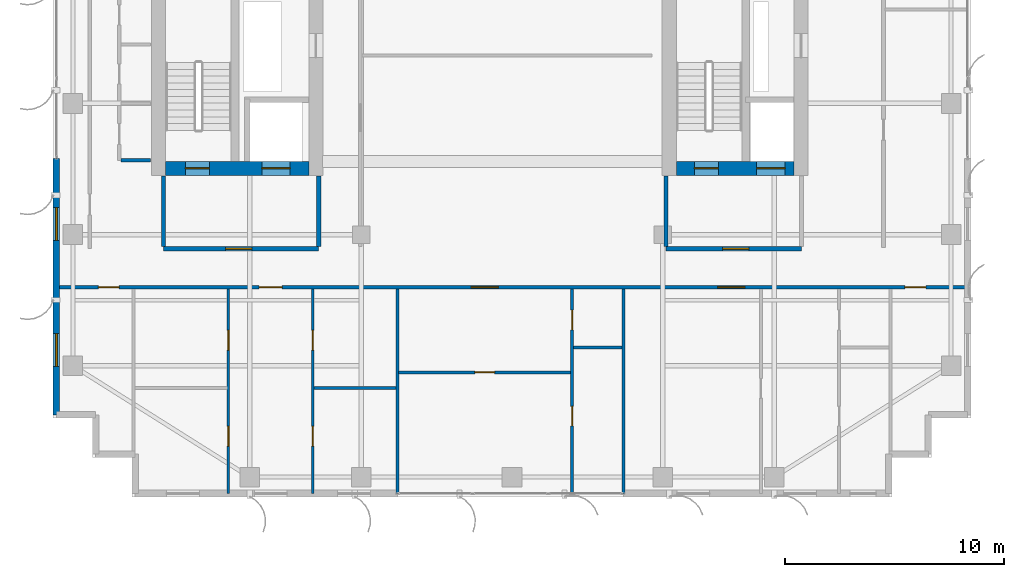
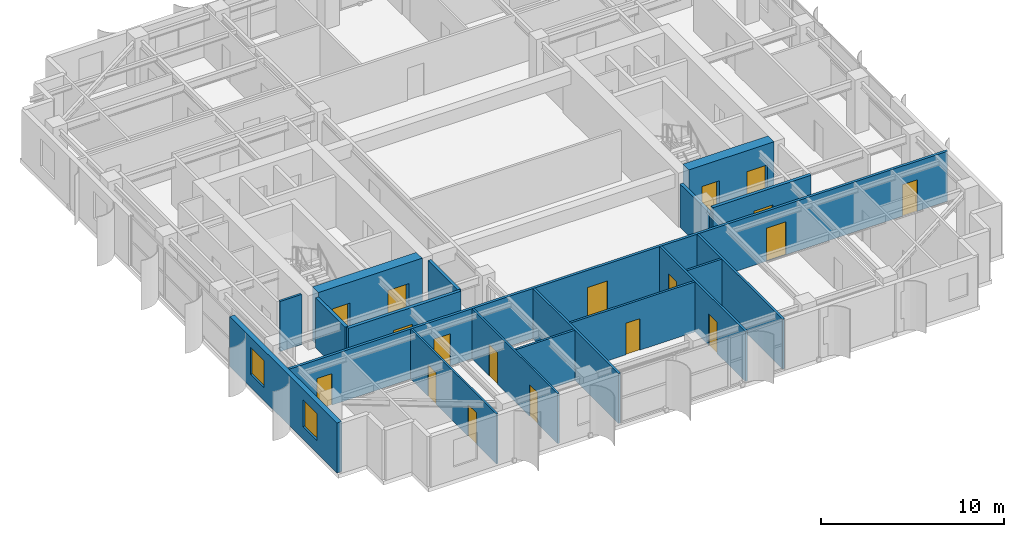
# One storey, part 15 of 22: 18 doors, 18 walls, 2 windows, 20 openings.
"""IFC4 building model written with IfcOpenShell, lengths in metres."""

import ifcopenshell
import ifcopenshell.guid

model = None  # the IFC model being written
_history = None  # IfcOwnerHistory: only IFC2X3 demands one
_inside = {}  # id of a spatial element -> (the spatial element, [elements in it])
_under = {}  # id of a project, library or spatial element -> (it, [spatial elements below it])
_declared = {}  # id of a project -> (the project, [libraries it declares])
_typed = {}  # id of a type object -> (the type object, [elements of that type])
_made_of = {}  # id of a material, layer set ... -> (it, [elements and type objects made of it])


def new_model(schema):
    """Start an empty IFC model of exactly this schema.

    Asked for "IFC4X3", IfcOpenShell would pick the latest addendum, in which some entities
    have other attributes; the version numbers below select the first issue.
    IFC2X3 requires an IfcOwnerHistory on every rooted entity: one is made here for all.
    """
    global model, _history
    if schema == "IFC4X3":
        model = ifcopenshell.file(schema_version=(4, 3, 0, 0))
    else:
        model = ifcopenshell.file(schema=schema)
    _inside.clear()
    _under.clear()
    _declared.clear()
    _typed.clear()
    _made_of.clear()
    _history = None
    if model.schema == "IFC2X3":
        org = make("IfcOrganization", Name="unknown")
        user = make(
            "IfcPersonAndOrganization",
            ThePerson=make("IfcPerson", FamilyName="unknown"),
            TheOrganization=org,
        )
        app = make(
            "IfcApplication",
            ApplicationDeveloper=org,
            Version="unknown",
            ApplicationFullName="unknown",
            ApplicationIdentifier="unknown",
        )
        _history = make(
            "IfcOwnerHistory",
            OwningUser=user,
            OwningApplication=app,
            ChangeAction="ADDED",
            CreationDate=0,
        )
    return model


def make(cls, **values):
    """One entity of the class cls with the attributes given. An attribute that is None is left unset."""
    return model.create_entity(
        cls, **{name: value for name, value in values.items() if value is not None}
    )


def rooted(cls, **values):
    """An entity with a GlobalId (a new one), such as an element, a storey or a relation."""
    return make(cls, GlobalId=ifcopenshell.guid.new(), OwnerHistory=_history, **values)


def si_unit(unit_type, name, prefix=None):
    """IfcSIUnit, for example si_unit("LENGTHUNIT", "METRE", prefix="MILLI")."""
    return make("IfcSIUnit", UnitType=unit_type, Prefix=prefix, Name=name)


def assignment(units):
    """IfcUnitAssignment: the units of a project."""
    return None if units is None else make("IfcUnitAssignment", Units=units)


def point(xyz):
    """IfcCartesianPoint."""
    return None if xyz is None else make("IfcCartesianPoint", Coordinates=xyz)


def direction(xyz):
    """IfcDirection."""
    return None if xyz is None else make("IfcDirection", DirectionRatios=xyz)


def frame(location, z_axis=None, x_axis=None):
    """IfcAxis2Placement3D, a coordinate frame: its origin and axes. An axis left out is left unset."""
    return make(
        "IfcAxis2Placement3D",
        Location=point(location),
        Axis=direction(z_axis),
        RefDirection=direction(x_axis),
    )


def frame_2d(location, x_axis=None):
    """IfcAxis2Placement2D, a coordinate frame in the plane: its origin and x axis."""
    return make(
        "IfcAxis2Placement2D", Location=point(location), RefDirection=direction(x_axis)
    )


def origin():
    """The frame at (0, 0, 0) with its axes left unset."""
    return frame((0.0, 0.0, 0.0))


def place(relative_to, where):
    """IfcLocalPlacement: puts the frame where relative to a parent placement (None: the world)."""
    return make(
        "IfcLocalPlacement", PlacementRelTo=relative_to, RelativePlacement=where
    )


def context(
    kind, dimensions, precision=None, world=None, true_north=None, identifier=None
):
    """IfcGeometricRepresentationContext, for example the 3D "Model" context."""
    return make(
        "IfcGeometricRepresentationContext",
        ContextIdentifier=identifier,
        ContextType=kind,
        CoordinateSpaceDimension=dimensions,
        Precision=precision,
        WorldCoordinateSystem=world,
        TrueNorth=true_north,
    )


def subcontext(parent, identifier, kind, view, scale=None):
    """IfcGeometricRepresentationSubContext, for example "Body" below "Model"."""
    return make(
        "IfcGeometricRepresentationSubContext",
        ContextIdentifier=identifier,
        ContextType=kind,
        ParentContext=parent,
        TargetScale=scale,
        TargetView=view,
    )


def project(units=None, contexts=None):
    """IfcProject with its units and contexts."""
    return rooted(
        "IfcProject",
        Name="project",
        RepresentationContexts=contexts,
        UnitsInContext=assignment(units),
    )


def spatial(cls, under=None, at=None, **own):
    """A site, building, storey or space (cls), placed at a placement, below another one or the project."""
    s = rooted(cls, ObjectPlacement=at, **own)
    if under is not None:
        _under.setdefault(under.id(), (under, []))[1].append(s)
    return s


def profile(cls, at=None, kind="AREA", **sizes):
    """A parametric profile (cls). Its sizes go by their IFC names, for example OverallWidth=200.0."""
    return make(cls, ProfileType=kind, Position=at, **sizes)


def rectangle(**sizes):
    """IfcRectangleProfileDef."""
    return profile("IfcRectangleProfileDef", **sizes)


def extrude(swept, where, along, depth):
    """IfcExtrudedAreaSolid: the profile swept, set in the frame where, extruded along a direction by depth."""
    return make(
        "IfcExtrudedAreaSolid",
        SweptArea=swept,
        Position=where,
        ExtrudedDirection=direction(along),
        Depth=depth,
    )


def shape(context_of_items, identifier, shape_type, items):
    """IfcShapeRepresentation: the items that make up one representation, for example the "Body"."""
    return make(
        "IfcShapeRepresentation",
        ContextOfItems=context_of_items,
        RepresentationIdentifier=identifier,
        RepresentationType=shape_type,
        Items=items,
    )


def source(mapping_origin, context_of_items, identifier, shape_type, items):
    """IfcRepresentationMap: a shape defined once, which mapped items show again and again."""
    return make(
        "IfcRepresentationMap",
        MappingOrigin=mapping_origin,
        MappedRepresentation=shape(context_of_items, identifier, shape_type, items),
    )


def transform(
    local_origin,
    x_axis=None,
    y_axis=None,
    z_axis=None,
    scale=None,
    scale2=None,
    scale3=None,
    uniform=True,
):
    """IfcCartesianTransformationOperator3D, or its non-uniform kind. x_axis, y_axis, z_axis: its Axis1, 2, 3."""
    if uniform:
        return make(
            "IfcCartesianTransformationOperator3D",
            Axis1=direction(x_axis),
            Axis2=direction(y_axis),
            LocalOrigin=point(local_origin),
            Scale=scale,
            Axis3=direction(z_axis),
        )
    return make(
        "IfcCartesianTransformationOperator3DnonUniform",
        Axis1=direction(x_axis),
        Axis2=direction(y_axis),
        LocalOrigin=point(local_origin),
        Scale=scale,
        Axis3=direction(z_axis),
        Scale2=scale2,
        Scale3=scale3,
    )


def mapped(mapping_source, mapping_target):
    """IfcMappedItem: shows the shape of a source again, moved by a transform."""
    return make(
        "IfcMappedItem", MappingSource=mapping_source, MappingTarget=mapping_target
    )


def material(Name=None, Category=None):
    """IfcMaterial."""
    return make("IfcMaterial", Name=Name, Category=Category)


def layer(
    of_material, thickness, ventilated=None, Name=None, Category=None, Priority=None
):
    """IfcMaterialLayer: one layer of a wall or slab, of a material (None: an air gap)."""
    return make(
        "IfcMaterialLayer",
        Material=of_material,
        LayerThickness=thickness,
        IsVentilated=ventilated,
        Name=Name,
        Category=Category,
        Priority=Priority,
    )


def layer_set(layers, Name=None):
    """IfcMaterialLayerSet."""
    return make("IfcMaterialLayerSet", MaterialLayers=layers, LayerSetName=Name)


def made_of(thing, what):
    """Note that an element or type object is made of a material, layer set ...; save() writes the relation."""
    if what is not None:
        _made_of.setdefault(what.id(), (what, []))[1].append(thing)
    return thing


def type_object(cls, material=None, **own):
    """A type object (cls), such as IfcWallType, which elements share."""
    return made_of(rooted(cls, **own), material)


def element(
    cls,
    number,
    at=None,
    inside=None,
    cuts=None,
    type_object=None,
    material=None,
    context=None,
    identifier="Body",
    shape_type=None,
    held_by="IfcProductDefinitionShape",
    body=None,
    shapes=None,
    **own,
):
    """One element of the class cls, such as IfcWall. Its Tag is "e" and its number.

    at: its placement. inside: the storey or other place that contains it. cuts: it is an
    opening in that element (IfcRelVoidsElement). A single representation is given by context,
    identifier, shape_type and body (its items); several are given by shapes. held_by: the class
    of the entity that holds the representations. save() writes the other relations.
    """
    e = rooted(cls, Tag="e%d" % number, ObjectPlacement=at, **own)
    if body is not None:
        shapes = [shape(context, identifier, shape_type, body)]
    if shapes is not None:
        e.Representation = make(held_by, Representations=shapes)
    if inside is not None:
        _inside.setdefault(inside.id(), (inside, []))[1].append(e)
    if cuts is not None:
        rooted(
            "IfcRelVoidsElement", RelatingBuildingElement=cuts, RelatedOpeningElement=e
        )
    if type_object is not None:
        _typed.setdefault(type_object.id(), (type_object, []))[1].append(e)
    return made_of(e, material)


def fill(opening, filler):
    """IfcRelFillsElement: the door or window that sits in an opening."""
    return rooted(
        "IfcRelFillsElement",
        RelatingOpeningElement=opening,
        RelatedBuildingElement=filler,
    )


def aggregate(whole, parts):
    """IfcRelAggregates: a whole, such as a stair, and the parts it consists of."""
    return rooted("IfcRelAggregates", RelatingObject=whole, RelatedObjects=parts)


def save(model, path):
    """Write the relations noted so far, then the file.

    IfcRelAggregates (storeys below a building ...), IfcRelContainedInSpatialStructure (elements
    in a storey), IfcRelDefinesByType, IfcRelAssociatesMaterial and IfcRelDeclares: one each for
    every whole, place, type object, material and project.
    """
    for whole, parts in _under.values():
        aggregate(whole, parts)
    for where, things in _inside.values():
        rooted(
            "IfcRelContainedInSpatialStructure",
            RelatedElements=things,
            RelatingStructure=where,
        )
    for kind, things in _typed.values():
        rooted("IfcRelDefinesByType", RelatedObjects=things, RelatingType=kind)
    for what, things in _made_of.values():
        rooted("IfcRelAssociatesMaterial", RelatedObjects=things, RelatingMaterial=what)
    for by, libraries in _declared.values():
        rooted("IfcRelDeclares", RelatingContext=by, RelatedDefinitions=libraries)
    model.write(path)


model = new_model("IFC4")

# Units and contexts
model_context = context("Model", 3, precision=1e-05, world=origin(), true_north=direction((0.0, 1.0)))
body_context = subcontext(model_context, "Body", "Model", "MODEL_VIEW")
ifc_project = project(units=[si_unit("LENGTHUNIT", "METRE"), si_unit("AREAUNIT", "SQUARE_METRE"), si_unit("VOLUMEUNIT", "CUBIC_METRE"), si_unit("PLANEANGLEUNIT", "RADIAN"), si_unit("MASSUNIT", "GRAM", prefix="KILO")], contexts=[model_context])

# Site, building, storey
site_placement = place(None, origin())
site = spatial("IfcSite", under=ifc_project, at=site_placement, CompositionType="ELEMENT")
building_placement = place(site_placement, origin())
building = spatial("IfcBuilding", under=site, at=building_placement, Name="Khoralis Quay Care Tower", CompositionType="ELEMENT")
storey_placement = place(building_placement, frame((0.0, 0.0, 180.89990234375)))
storey = spatial("IfcBuildingStorey", under=building, at=storey_placement, Name="L47", CompositionType="ELEMENT", Elevation=180.89990234375)

# Wall, opening, door
ifc_material_1 = material(Name="Gypsum plasterboard on acoustic metal stud")
ifc_layer_1 = layer(ifc_material_1, 0.199951171875)
ifc_layer_set_1 = layer_set([ifc_layer_1], Name="Gypsum plasterboard on acoustic metal stud")
wall_type_1 = type_object("IfcWallType", Name="WL-COMP-200", PredefinedType="PARTITIONING", material=ifc_layer_set_1)
wall_1_placement = place(storey_placement, frame((8.050048828125, 11.35009765625, 0.0), z_axis=(0.0, 0.0, 1.0), x_axis=(1.0, 0.0, 0.0)))
wall_1 = element("IfcWall", 1, at=wall_1_placement, inside=storey, type_object=wall_type_1, Name="L47 West Firefighting Lobby South Wall", PredefinedType="PARTITIONING", context=body_context, shape_type="SweptSolid", body=[
    extrude(rectangle(XDim=7.099853515625, YDim=0.199951171875, at=frame_2d((3.5498046875, 0.0))), origin(), (0.0, 0.0, 1.0), 3.340087890625),
])
opening_1_placement = place(wall_1_placement, frame((2.846435546875, 0.0, 0.0)))
opening_1 = element("IfcOpeningElement", 2, at=opening_1_placement, cuts=wall_1, Name="Opening FD1", PredefinedType="OPENING", context=body_context, shape_type="SweptSolid", body=[
    extrude(rectangle(XDim=1.199951171875, YDim=2.199951171875, at=frame_2d((0.60009765625, 1.10009765625))), frame((0.0, 0.10986328125, 0.0), z_axis=(0.0, -1.0, 0.0), x_axis=(1.0, 0.0, 0.0)), (0.0, 0.0, 1.0), 0.219970703125),
])
ifc_material_2 = material(Name="Fire-rated painted steel", Category="steel")
door_type_1 = type_object("IfcDoorType", Name="DR-FFL-1200X2200", OperationType="NOTDEFINED", PredefinedType="DOOR", material=ifc_material_2)
shared_shape_1 = source(origin(), body_context, "Body", "SweptSolid", [
    extrude(rectangle(XDim=1.199951171875, YDim=2.199951171875, at=frame_2d((0.60009765625, 1.10009765625))), frame((0.0, 0.02490234375, 0.0), z_axis=(0.0, -1.0, 0.0), x_axis=(1.0, 0.0, 0.0)), (0.0, 0.0, 1.0), 0.050048828125),
])
door_1_placement = place(opening_1_placement, origin())
door_1 = element("IfcDoor", 3, at=door_1_placement, inside=storey, type_object=door_type_1, Name="L47 West Firefighting Lobby Fire Door", OperationType="SINGLE_SWING_LEFT", OverallHeight=2.199951171875, OverallWidth=1.199951171875, PredefinedType="DOOR", context=body_context, shape_type="MappedRepresentation", body=[
    mapped(shared_shape_1, transform((0.0, 0.0, 0.0), scale=1.0)),
])
fill(opening_1, door_1)

# Walls
for number, where, z_axis, x_axis, name in (
    (4, (8.050048828125, 11.445068359375, 0.0), (0.0, 0.0, 1.0), (0.0, 1.0, 0.0), "L47 West Firefighting Lobby West Wall"),
    (5, (15.14990234375, 11.445068359375, 0.0), (0.0, 0.0, 1.0), (0.0, 1.0, 0.0), "L47 West Firefighting Lobby East Wall"),
):
    element("IfcWall", number, at=place(storey_placement, frame(where, z_axis=z_axis, x_axis=x_axis)), inside=storey, type_object=wall_type_1, Name=name, PredefinedType="PARTITIONING", context=body_context, shape_type="SweptSolid", body=[
        extrude(rectangle(XDim=3.23486328125, YDim=0.199951171875, at=frame_2d((1.617431640625, 0.0))), origin(), (0.0, 0.0, 1.0), 3.340087890625),
    ])

# Wall, opening, door
wall_2_placement = place(storey_placement, frame((31.050048828125, 11.35009765625, 0.0), z_axis=(0.0, 0.0, 1.0), x_axis=(1.0, 0.0, 0.0)))
wall_2 = element("IfcWall", 6, at=wall_2_placement, inside=storey, type_object=wall_type_1, Name="L47 East Firefighting Lobby South Wall", PredefinedType="PARTITIONING", context=body_context, shape_type="SweptSolid", body=[
    extrude(rectangle(XDim=6.199951171875, YDim=0.199951171875, at=frame_2d((3.10009765625, 0.0))), origin(), (0.0, 0.0, 1.0), 3.340087890625),
])
opening_2_placement = place(wall_2_placement, frame((2.585693359375, 0.0, 0.0)))
opening_2 = element("IfcOpeningElement", 7, at=opening_2_placement, cuts=wall_2, Name="Opening FD1", PredefinedType="OPENING", context=body_context, shape_type="SweptSolid", body=[
    extrude(rectangle(XDim=1.199951171875, YDim=2.199951171875, at=frame_2d((0.60009765625, 1.10009765625))), frame((0.0, 0.10986328125, 0.0), z_axis=(0.0, -1.0, 0.0), x_axis=(1.0, 0.0, 0.0)), (0.0, 0.0, 1.0), 0.219970703125),
])
door_2_placement = place(opening_2_placement, origin())
door_2 = element("IfcDoor", 8, at=door_2_placement, inside=storey, type_object=door_type_1, Name="L47 East Firefighting Lobby Fire Door", OperationType="SINGLE_SWING_RIGHT", OverallHeight=2.199951171875, OverallWidth=1.199951171875, PredefinedType="DOOR", context=body_context, shape_type="MappedRepresentation", body=[
    mapped(shared_shape_1, transform((0.0, 0.0, 0.0), scale=1.0)),
])
fill(opening_2, door_2)

# Wall
wall_3_placement = place(storey_placement, frame((31.050048828125, 11.445068359375, 0.0), z_axis=(0.0, 0.0, 1.0), x_axis=(0.0, 1.0, 0.0)))
element("IfcWall", 9, at=wall_3_placement, inside=storey, type_object=wall_type_1, Name="L47 East Firefighting Lobby West Wall", PredefinedType="PARTITIONING", context=body_context, shape_type="SweptSolid", body=[
    extrude(rectangle(XDim=3.23486328125, YDim=0.199951171875, at=frame_2d((1.617431640625, 0.0))), origin(), (0.0, 0.0, 1.0), 2.877197265625),
])

# Wall, openings, doors
ifc_material_3 = material(Name="Concrete C65/80", Category="concrete")
ifc_layer_2 = layer(ifc_material_3, 0.64990234375)
ifc_layer_set_2 = layer_set([ifc_layer_2], Name="Concrete C65/80")
wall_type_2 = type_object("IfcWallType", Name="WL-CORE-650", PredefinedType="SHEAR", material=ifc_layer_set_2)
wall_4_placement = place(storey_placement, frame((8.14990234375, 15.02490234375, 0.0), z_axis=(0.0, 0.0, 1.0), x_axis=(1.0, 0.0, 0.0)))
wall_4 = element("IfcWall", 10, at=wall_4_placement, inside=storey, type_object=wall_type_2, Name="L47 WCORE South Shear Wall", PredefinedType="SHEAR", context=body_context, shape_type="SweptSolid", body=[
    extrude(rectangle(XDim=6.550048828125, YDim=0.64990234375, at=frame_2d((3.27490234375, 0.0))), origin(), (0.0, 0.0, 1.0), 3.60009765625),
])
opening_3_placement = place(wall_4_placement, frame((0.89990234375, 0.0, 0.0)))
opening_3 = element("IfcOpeningElement", 11, at=opening_3_placement, cuts=wall_4, Name="Opening SD1", PredefinedType="OPENING", context=body_context, shape_type="SweptSolid", body=[
    extrude(rectangle(XDim=1.10009765625, YDim=2.199951171875, at=frame_2d((0.550048828125, 1.10009765625))), frame((0.0, 0.3349609375, 0.0), z_axis=(0.0, -1.0, 0.0), x_axis=(1.0, 0.0, 0.0)), (0.0, 0.0, 1.0), 0.669921875),
])
opening_4_placement = place(wall_4_placement, frame((4.39990234375, 0.0, 0.0)))
opening_4 = element("IfcOpeningElement", 12, at=opening_4_placement, cuts=wall_4, Name="Opening LD2", PredefinedType="OPENING", context=body_context, shape_type="SweptSolid", body=[
    extrude(rectangle(XDim=1.300048828125, YDim=2.199951171875, at=frame_2d((0.64990234375, 1.10009765625))), frame((0.0, 0.3349609375, 0.0), z_axis=(0.0, -1.0, 0.0), x_axis=(1.0, 0.0, 0.0)), (0.0, 0.0, 1.0), 0.669921875),
])
door_type_2 = type_object("IfcDoorType", Name="DR-STAIR-1100X2200", OperationType="NOTDEFINED", PredefinedType="DOOR", material=ifc_material_2)
shared_shape_2 = source(origin(), body_context, "Body", "SweptSolid", [
    extrude(rectangle(XDim=1.10009765625, YDim=2.199951171875, at=frame_2d((0.550048828125, 1.10009765625))), frame((0.0, 0.02490234375, 0.0), z_axis=(0.0, -1.0, 0.0), x_axis=(1.0, 0.0, 0.0)), (0.0, 0.0, 1.0), 0.050048828125),
])
door_3_placement = place(opening_3_placement, origin())
door_3 = element("IfcDoor", 13, at=door_3_placement, inside=storey, type_object=door_type_2, Name="L47 Stair ST-T1 Fire Door", OperationType="SINGLE_SWING_LEFT", OverallHeight=2.199951171875, OverallWidth=1.10009765625, PredefinedType="DOOR", context=body_context, shape_type="MappedRepresentation", body=[
    mapped(shared_shape_2, transform((0.0, 0.0, 0.0), scale=1.0)),
])
fill(opening_3, door_3)
ifc_material_4 = material(Name="Brushed stainless steel", Category="steel")
door_type_3 = type_object("IfcDoorType", Name="DR-LIFT-1300X2200", OperationType="SLIDING_TO_RIGHT", PredefinedType="DOOR", material=ifc_material_4)
shared_shape_3 = source(origin(), body_context, "Body", "SweptSolid", [
    extrude(rectangle(XDim=1.300048828125, YDim=2.199951171875, at=frame_2d((0.64990234375, 1.10009765625))), frame((0.0, 0.02490234375, 0.0), z_axis=(0.0, -1.0, 0.0), x_axis=(1.0, 0.0, 0.0)), (0.0, 0.0, 1.0), 0.050048828125),
])
door_4_placement = place(opening_4_placement, origin())
door_4 = element("IfcDoor", 14, at=door_4_placement, inside=storey, type_object=door_type_3, Name="L47 Firefighting Lift FFL-1 Landing Door", OperationType="SLIDING_TO_RIGHT", OverallHeight=2.199951171875, OverallWidth=1.300048828125, PredefinedType="DOOR", context=body_context, shape_type="MappedRepresentation", body=[
    mapped(shared_shape_3, transform((0.0, 0.0, 0.0), scale=1.0)),
])
fill(opening_4, door_4)

wall_5_placement = place(storey_placement, frame((31.52001953125, 15.02490234375, 0.0), z_axis=(0.0, 0.0, 1.0), x_axis=(1.0, 0.0, 0.0)))
wall_5 = element("IfcWall", 15, at=wall_5_placement, inside=storey, type_object=wall_type_2, Name="L47 ECORE South Shear Wall", PredefinedType="SHEAR", context=body_context, shape_type="SweptSolid", body=[
    extrude(rectangle(XDim=5.3798828125, YDim=0.64990234375, at=frame_2d((2.68994140625, 0.0))), origin(), (0.0, 0.0, 1.0), 3.60009765625),
])
opening_5_placement = place(wall_5_placement, frame((0.830078125, 0.0, 0.0)))
opening_5 = element("IfcOpeningElement", 16, at=opening_5_placement, cuts=wall_5, Name="Opening SD1", PredefinedType="OPENING", context=body_context, shape_type="SweptSolid", body=[
    extrude(rectangle(XDim=1.10009765625, YDim=2.199951171875, at=frame_2d((0.550048828125, 1.10009765625))), frame((0.0, 0.3349609375, 0.0), z_axis=(0.0, -1.0, 0.0), x_axis=(1.0, 0.0, 0.0)), (0.0, 0.0, 1.0), 0.669921875),
])
opening_6_placement = place(wall_5_placement, frame((3.679931640625, 0.0, 0.0)))
opening_6 = element("IfcOpeningElement", 17, at=opening_6_placement, cuts=wall_5, Name="Opening LD2", PredefinedType="OPENING", context=body_context, shape_type="SweptSolid", body=[
    extrude(rectangle(XDim=1.300048828125, YDim=2.199951171875, at=frame_2d((0.64990234375, 1.10009765625))), frame((0.0, 0.3349609375, 0.0), z_axis=(0.0, -1.0, 0.0), x_axis=(1.0, 0.0, 0.0)), (0.0, 0.0, 1.0), 0.669921875),
])
door_5_placement = place(opening_5_placement, origin())
door_5 = element("IfcDoor", 18, at=door_5_placement, inside=storey, type_object=door_type_2, Name="L47 Stair ST-T2 Fire Door", OperationType="SINGLE_SWING_RIGHT", OverallHeight=2.199951171875, OverallWidth=1.10009765625, PredefinedType="DOOR", context=body_context, shape_type="MappedRepresentation", body=[
    mapped(shared_shape_2, transform((0.0, 0.0, 0.0), scale=1.0)),
])
fill(opening_5, door_5)
door_6_placement = place(opening_6_placement, origin())
door_6 = element("IfcDoor", 19, at=door_6_placement, inside=storey, type_object=door_type_3, Name="L47 Firefighting Lift FFL-2 Landing Door", OperationType="SLIDING_TO_RIGHT", OverallHeight=2.199951171875, OverallWidth=1.300048828125, PredefinedType="DOOR", context=body_context, shape_type="MappedRepresentation", body=[
    mapped(shared_shape_3, transform((0.0, 0.0, 0.0), scale=1.0)),
])
fill(opening_6, door_6)

ifc_layer_3 = layer(ifc_material_1, 0.1650390625)
ifc_layer_set_3 = layer_set([ifc_layer_3], Name="Gypsum plasterboard on acoustic metal stud")
wall_type_3 = type_object("IfcWallType", Name="WL-CORR-165", PredefinedType="PARTITIONING", material=ifc_layer_set_3)
wall_6_placement = place(storey_placement, frame((3.14501953125, 9.580078125, 0.0), z_axis=(0.0, 0.0, 1.0), x_axis=(1.0, 0.0, 0.0)))
wall_6 = element("IfcWall", 20, at=wall_6_placement, inside=storey, type_object=wall_type_3, Name="L47 South Main Corridor Wall", PredefinedType="PARTITIONING", context=body_context, shape_type="SweptSolid", body=[
    extrude(rectangle(XDim=41.7099609375, YDim=0.1650390625, at=frame_2d((20.85498046875, 0.0))), origin(), (0.0, 0.0, 1.0), 3.340087890625),
])
opening_7_placement = place(wall_6_placement, frame((9.28662109375, 0.0, 0.0)))
opening_7 = element("IfcOpeningElement", 21, at=opening_7_placement, cuts=wall_6, Name="Opening UD1", PredefinedType="OPENING", context=body_context, shape_type="SweptSolid", body=[
    extrude(rectangle(XDim=1.050048828125, YDim=2.14990234375, at=frame_2d((0.52490234375, 1.074951171875))), frame((0.0, 0.092529296875, 0.0), z_axis=(0.0, -1.0, 0.0), x_axis=(1.0, 0.0, 0.0)), (0.0, 0.0, 1.0), 0.18505859375),
])
opening_8_placement = place(wall_6_placement, frame((18.97998046875, 0.0, 0.0)))
opening_8 = element("IfcOpeningElement", 22, at=opening_8_placement, cuts=wall_6, Name="Opening CD1", PredefinedType="OPENING", context=body_context, shape_type="SweptSolid", body=[
    extrude(rectangle(XDim=1.25, YDim=2.199951171875, at=frame_2d((0.625, 1.10009765625))), frame((0.0, 0.092529296875, 0.0), z_axis=(0.0, -1.0, 0.0), x_axis=(1.0, 0.0, 0.0)), (0.0, 0.0, 1.0), 0.18505859375),
])
opening_9_placement = place(wall_6_placement, frame((30.264892578125, 0.0, 0.0)))
opening_9 = element("IfcOpeningElement", 23, at=opening_9_placement, cuts=wall_6, Name="Opening CD1", PredefinedType="OPENING", context=body_context, shape_type="SweptSolid", body=[
    extrude(rectangle(XDim=1.25, YDim=2.199951171875, at=frame_2d((0.625, 1.10009765625))), frame((0.0, 0.092529296875, 0.0), z_axis=(0.0, -1.0, 0.0), x_axis=(1.0, 0.0, 0.0)), (0.0, 0.0, 1.0), 0.18505859375),
])
opening_10_placement = place(wall_6_placement, frame((1.919921875, 0.0, 0.0)))
opening_10 = element("IfcOpeningElement", 24, at=opening_10_placement, cuts=wall_6, Name="Opening ID1", PredefinedType="OPENING", context=body_context, shape_type="SweptSolid", body=[
    extrude(rectangle(XDim=0.949951171875, YDim=2.10009765625, at=frame_2d((0.47509765625, 1.050048828125))), frame((0.0, 0.092529296875, 0.0), z_axis=(0.0, -1.0, 0.0), x_axis=(1.0, 0.0, 0.0)), (0.0, 0.0, 1.0), 0.18505859375),
])
opening_11_placement = place(wall_6_placement, frame((38.840087890625, 0.0, 0.0)))
opening_11 = element("IfcOpeningElement", 25, at=opening_11_placement, cuts=wall_6, Name="Opening ID1", PredefinedType="OPENING", context=body_context, shape_type="SweptSolid", body=[
    extrude(rectangle(XDim=0.949951171875, YDim=2.10009765625, at=frame_2d((0.47509765625, 1.050048828125))), frame((0.0, 0.092529296875, 0.0), z_axis=(0.0, -1.0, 0.0), x_axis=(1.0, 0.0, 0.0)), (0.0, 0.0, 1.0), 0.18505859375),
])
ifc_material_5 = material(Name="Acoustic hardwood timber", Category="wood")
door_type_4 = type_object("IfcDoorType", Name="DR-CARE-1250X2200", OperationType="NOTDEFINED", PredefinedType="DOOR", material=ifc_material_5)
shared_shape_4 = source(origin(), body_context, "Body", "SweptSolid", [
    extrude(rectangle(XDim=1.25, YDim=2.199951171875, at=frame_2d((0.625, 1.10009765625))), frame((0.0, 0.02490234375, 0.0), z_axis=(0.0, -1.0, 0.0), x_axis=(1.0, 0.0, 0.0)), (0.0, 0.0, 1.0), 0.050048828125),
])
door_7_placement = place(opening_8_placement, frame((1.25, 0.0, 0.0), z_axis=(0.0, 0.0, 1.0), x_axis=(-1.0, 0.0, 0.0)))
door_7 = element("IfcDoor", 26, at=door_7_placement, inside=storey, type_object=door_type_4, Name="L47 Care Suite SB1 Clinical Door", OperationType="SINGLE_SWING_RIGHT", OverallHeight=2.199951171875, OverallWidth=1.25, PredefinedType="DOOR", context=body_context, shape_type="MappedRepresentation", body=[
    mapped(shared_shape_4, transform((0.0, 0.0, 0.0), scale=1.0)),
])
fill(opening_8, door_7)
door_8_placement = place(opening_9_placement, frame((1.25, 0.0, 0.0), z_axis=(0.0, 0.0, 1.0), x_axis=(-1.0, 0.0, 0.0)))
door_8 = element("IfcDoor", 27, at=door_8_placement, inside=storey, type_object=door_type_4, Name="L47 Care Suite SB2 Clinical Door", OperationType="SINGLE_SWING_LEFT", OverallHeight=2.199951171875, OverallWidth=1.25, PredefinedType="DOOR", context=body_context, shape_type="MappedRepresentation", body=[
    mapped(shared_shape_4, transform((0.0, 0.0, 0.0), scale=1.0)),
])
fill(opening_9, door_8)
door_type_5 = type_object("IfcDoorType", Name="DR-ROOM-950X2100", OperationType="NOTDEFINED", PredefinedType="DOOR", material=ifc_material_5)
shared_shape_5 = source(origin(), body_context, "Body", "SweptSolid", [
    extrude(rectangle(XDim=0.949951171875, YDim=2.10009765625, at=frame_2d((0.47509765625, 1.050048828125))), frame((0.0, 0.02490234375, 0.0), z_axis=(0.0, -1.0, 0.0), x_axis=(1.0, 0.0, 0.0)), (0.0, 0.0, 1.0), 0.050048828125),
])
door_9_placement = place(opening_10_placement, frame((0.949951171875, 0.0, 0.0), z_axis=(0.0, 0.0, 1.0), x_axis=(-1.0, 0.0, 0.0)))
door_9 = element("IfcDoor", 28, at=door_9_placement, inside=storey, type_object=door_type_5, Name="L47 SW Corner Door", OperationType="SINGLE_SWING_LEFT", OverallHeight=2.10009765625, OverallWidth=0.949951171875, PredefinedType="DOOR", context=body_context, shape_type="MappedRepresentation", body=[
    mapped(shared_shape_5, transform((0.0, 0.0, 0.0), scale=1.0)),
])
fill(opening_10, door_9)
door_10_placement = place(opening_11_placement, frame((0.949951171875, 0.0, 0.0), z_axis=(0.0, 0.0, 1.0), x_axis=(-1.0, 0.0, 0.0)))
door_10 = element("IfcDoor", 29, at=door_10_placement, inside=storey, type_object=door_type_5, Name="L47 SE Corner Door", OperationType="SINGLE_SWING_RIGHT", OverallHeight=2.10009765625, OverallWidth=0.949951171875, PredefinedType="DOOR", context=body_context, shape_type="MappedRepresentation", body=[
    mapped(shared_shape_5, transform((0.0, 0.0, 0.0), scale=1.0)),
])
fill(opening_11, door_10)
door_type_6 = type_object("IfcDoorType", Name="DR-SUITE-1050X2150", OperationType="NOTDEFINED", PredefinedType="DOOR", material=ifc_material_5)
shared_shape_6 = source(origin(), body_context, "Body", "SweptSolid", [
    extrude(rectangle(XDim=1.050048828125, YDim=2.14990234375, at=frame_2d((0.52490234375, 1.074951171875))), frame((0.0, 0.02490234375, 0.0), z_axis=(0.0, -1.0, 0.0), x_axis=(1.0, 0.0, 0.0)), (0.0, 0.0, 1.0), 0.050048828125),
])
door_11_placement = place(opening_7_placement, frame((1.050048828125, 0.0, 0.0), z_axis=(0.0, 0.0, 1.0), x_axis=(-1.0, 0.0, 0.0)))
door_11 = element("IfcDoor", 30, at=door_11_placement, inside=storey, type_object=door_type_6, Name="L47 2BR SB0 Entrance", OperationType="SINGLE_SWING_LEFT", OverallHeight=2.14990234375, OverallWidth=1.050048828125, PredefinedType="DOOR", context=body_context, shape_type="MappedRepresentation", body=[
    mapped(shared_shape_6, transform((0.0, 0.0, 0.0), scale=1.0)),
])
fill(opening_7, door_11)

# Wall, openings, windows
ifc_material_6 = material(Name="Precast concrete C45/55", Category="concrete")
ifc_layer_4 = layer(ifc_material_6, 0.300048828125)
ifc_layer_set_4 = layer_set([ifc_layer_4], Name="Precast concrete C45/55")
wall_type_4 = type_object("IfcWallType", Name="WL-EXT-REF-300", PredefinedType="SOLIDWALL", material=ifc_layer_set_4)
wall_7_placement = place(storey_placement, frame((3.14990234375, 15.47998046875, 0.0), z_axis=(0.0, 0.0, 1.0), x_axis=(0.0, -1.0, 0.0)))
wall_7 = element("IfcWall", 31, at=wall_7_placement, inside=storey, type_object=wall_type_4, Name="L47 External Facade Wall WL-EXT-L47-P1-E15B", PredefinedType="SOLIDWALL", context=body_context, shape_type="SweptSolid", body=[
    extrude(rectangle(XDim=11.72998046875, YDim=0.300048828125, at=frame_2d((5.864990234375, 0.0))), origin(), (0.0, 0.0, 1.0), 3.340087890625),
])
opening_12_placement = place(wall_7_placement, frame((2.25, 0.0, 0.85009765625)))
opening_12 = element("IfcOpeningElement", 32, at=opening_12_placement, cuts=wall_7, Name="Opening W3", PredefinedType="OPENING", context=body_context, shape_type="SweptSolid", body=[
    extrude(rectangle(XDim=1.5, YDim=1.800048828125, at=frame_2d((0.75, 0.89990234375))), frame((0.0, 0.16015625, 0.0), z_axis=(0.0, -1.0, 0.0), x_axis=(1.0, 0.0, 0.0)), (0.0, 0.0, 1.0), 0.320068359375),
])
opening_13_placement = place(wall_7_placement, frame((8.014892578125, 0.0, 0.85009765625)))
opening_13 = element("IfcOpeningElement", 33, at=opening_13_placement, cuts=wall_7, Name="Opening W3", PredefinedType="OPENING", context=body_context, shape_type="SweptSolid", body=[
    extrude(rectangle(XDim=1.5, YDim=1.800048828125, at=frame_2d((0.75, 0.89990234375))), frame((0.0, 0.16015625, 0.0), z_axis=(0.0, -1.0, 0.0), x_axis=(1.0, 0.0, 0.0)), (0.0, 0.0, 1.0), 0.320068359375),
])
ifc_material_7 = material(Name="Low-E solar-control double glazing", Category="glass")
window_type = type_object("IfcWindowType", Name="WN-CLIN-1500X1800", PartitioningType="SINGLE_PANEL", PredefinedType="WINDOW", material=ifc_material_7)
shared_shape_7 = source(origin(), body_context, "Body", "SweptSolid", [
    extrude(rectangle(XDim=1.5, YDim=1.800048828125, at=frame_2d((0.75, 0.89990234375))), frame((0.0, 0.030029296875, 0.0), z_axis=(0.0, -1.0, 0.0), x_axis=(1.0, 0.0, 0.0)), (0.0, 0.0, 1.0), 0.06005859375),
])
window_1_placement = place(opening_12_placement, origin())
window_1 = element("IfcWindow", 34, at=window_1_placement, inside=storey, type_object=window_type, Name="WN-L47-P1-E15B Facade Window 01", OverallHeight=1.800048828125, OverallWidth=1.5, PartitioningType="SINGLE_PANEL", PredefinedType="WINDOW", context=body_context, shape_type="MappedRepresentation", body=[
    mapped(shared_shape_7, transform((0.0, 0.0, 0.0), scale=1.0)),
])
fill(opening_12, window_1)
window_2_placement = place(opening_13_placement, origin())
window_2 = element("IfcWindow", 35, at=window_2_placement, inside=storey, type_object=window_type, Name="WN-L47-P1-E15B Facade Window 02", OverallHeight=1.800048828125, OverallWidth=1.5, PartitioningType="SINGLE_PANEL", PredefinedType="WINDOW", context=body_context, shape_type="MappedRepresentation", body=[
    mapped(shared_shape_7, transform((0.0, 0.0, 0.0), scale=1.0)),
])
fill(opening_13, window_2)

# Wall, openings, doors
ifc_layer_5 = layer(ifc_material_1, 0.114990234375)
ifc_layer_set_5 = layer_set([ifc_layer_5], Name="Gypsum plasterboard on acoustic metal stud")
wall_type_5 = type_object("IfcWallType", Name="WL-PART-115", PredefinedType="PARTITIONING", material=ifc_layer_set_5)
wall_8_placement = place(storey_placement, frame((11.02490234375, 0.14501953125, 0.0), z_axis=(0.0, 0.0, 1.0), x_axis=(0.0, 1.0, 0.0)))
wall_8 = element("IfcWall", 36, at=wall_8_placement, inside=storey, type_object=wall_type_5, Name="L47 2BR 0 Left Wall", PredefinedType="PARTITIONING", context=body_context, shape_type="SweptSolid", body=[
    extrude(rectangle(XDim=9.357421875, YDim=0.114990234375, at=frame_2d((4.6787109375, 0.0))), origin(), (0.0, 0.0, 1.0), 3.340087890625),
])
opening_14_placement = place(wall_8_placement, frame((2.1708984375, 0.0, 0.0)))
opening_14 = element("IfcOpeningElement", 37, at=opening_14_placement, cuts=wall_8, Name="Opening WD1", PredefinedType="OPENING", context=body_context, shape_type="SweptSolid", body=[
    extrude(rectangle(XDim=0.89990234375, YDim=2.10009765625, at=frame_2d((0.449951171875, 1.050048828125))), frame((0.0, 0.0673828125, 0.0), z_axis=(0.0, -1.0, 0.0), x_axis=(1.0, 0.0, 0.0)), (0.0, 0.0, 1.0), 0.135009765625),
])
opening_15_placement = place(wall_8_placement, frame((6.571044921875, 0.0, 0.0)))
opening_15 = element("IfcOpeningElement", 38, at=opening_15_placement, cuts=wall_8, Name="Opening WD1", PredefinedType="OPENING", context=body_context, shape_type="SweptSolid", body=[
    extrude(rectangle(XDim=0.89990234375, YDim=2.10009765625, at=frame_2d((0.449951171875, 1.050048828125))), frame((0.0, 0.0673828125, 0.0), z_axis=(0.0, -1.0, 0.0), x_axis=(1.0, 0.0, 0.0)), (0.0, 0.0, 1.0), 0.135009765625),
])
door_type_7 = type_object("IfcDoorType", Name="DR-BATH-900X2100", OperationType="NOTDEFINED", PredefinedType="DOOR", material=ifc_material_5)
shared_shape_8 = source(origin(), body_context, "Body", "SweptSolid", [
    extrude(rectangle(XDim=0.89990234375, YDim=2.10009765625, at=frame_2d((0.449951171875, 1.050048828125))), frame((0.0, 0.02490234375, 0.0), z_axis=(0.0, -1.0, 0.0), x_axis=(1.0, 0.0, 0.0)), (0.0, 0.0, 1.0), 0.050048828125),
])
door_12_placement = place(opening_14_placement, origin())
door_12 = element("IfcDoor", 39, at=door_12_placement, inside=storey, type_object=door_type_7, Name="L47 2BR BD1 Door", OperationType="SINGLE_SWING_RIGHT", OverallHeight=2.10009765625, OverallWidth=0.89990234375, PredefinedType="DOOR", context=body_context, shape_type="MappedRepresentation", body=[
    mapped(shared_shape_8, transform((0.0, 0.0, 0.0), scale=1.0)),
])
fill(opening_14, door_12)
door_13_placement = place(opening_15_placement, origin())
door_13 = element("IfcDoor", 40, at=door_13_placement, inside=storey, type_object=door_type_7, Name="L47 2BR BTH Door", OperationType="SINGLE_SWING_LEFT", OverallHeight=2.10009765625, OverallWidth=0.89990234375, PredefinedType="DOOR", context=body_context, shape_type="MappedRepresentation", body=[
    mapped(shared_shape_8, transform((0.0, 0.0, 0.0), scale=1.0)),
])
fill(opening_15, door_13)

wall_9_placement = place(storey_placement, frame((14.887939453125, 0.14501953125, 0.0), z_axis=(0.0, 0.0, 1.0), x_axis=(0.0, 1.0, 0.0)))
wall_9 = element("IfcWall", 41, at=wall_9_placement, inside=storey, type_object=wall_type_5, Name="L47 2BR 0 Right Wall", PredefinedType="PARTITIONING", context=body_context, shape_type="SweptSolid", body=[
    extrude(rectangle(XDim=9.357421875, YDim=0.114990234375, at=frame_2d((4.6787109375, 0.0))), origin(), (0.0, 0.0, 1.0), 3.340087890625),
])
opening_16_placement = place(wall_9_placement, frame((2.1708984375, 0.0, 0.0)))
opening_16 = element("IfcOpeningElement", 42, at=opening_16_placement, cuts=wall_9, Name="Opening WD1", PredefinedType="OPENING", context=body_context, shape_type="SweptSolid", body=[
    extrude(rectangle(XDim=0.89990234375, YDim=2.10009765625, at=frame_2d((0.449951171875, 1.050048828125))), frame((0.0, 0.0673828125, 0.0), z_axis=(0.0, -1.0, 0.0), x_axis=(1.0, 0.0, 0.0)), (0.0, 0.0, 1.0), 0.135009765625),
])
opening_17_placement = place(wall_9_placement, frame((6.571044921875, 0.0, 0.0)))
opening_17 = element("IfcOpeningElement", 43, at=opening_17_placement, cuts=wall_9, Name="Opening WD1", PredefinedType="OPENING", context=body_context, shape_type="SweptSolid", body=[
    extrude(rectangle(XDim=0.89990234375, YDim=2.10009765625, at=frame_2d((0.449951171875, 1.050048828125))), frame((0.0, 0.0673828125, 0.0), z_axis=(0.0, -1.0, 0.0), x_axis=(1.0, 0.0, 0.0)), (0.0, 0.0, 1.0), 0.135009765625),
])
door_14_placement = place(opening_16_placement, frame((0.89990234375, 0.0, 0.0), z_axis=(0.0, 0.0, 1.0), x_axis=(-1.0, 0.0, 0.0)))
door_14 = element("IfcDoor", 44, at=door_14_placement, inside=storey, type_object=door_type_7, Name="L47 2BR BD2 Door", OperationType="SINGLE_SWING_RIGHT", OverallHeight=2.10009765625, OverallWidth=0.89990234375, PredefinedType="DOOR", context=body_context, shape_type="MappedRepresentation", body=[
    mapped(shared_shape_8, transform((0.0, 0.0, 0.0), scale=1.0)),
])
fill(opening_16, door_14)
door_15_placement = place(opening_17_placement, frame((0.89990234375, 0.0, 0.0), z_axis=(0.0, 0.0, 1.0), x_axis=(-1.0, 0.0, 0.0)))
door_15 = element("IfcDoor", 45, at=door_15_placement, inside=storey, type_object=door_type_7, Name="L47 2BR KIT Door", OperationType="SINGLE_SWING_LEFT", OverallHeight=2.10009765625, OverallWidth=0.89990234375, PredefinedType="DOOR", context=body_context, shape_type="MappedRepresentation", body=[
    mapped(shared_shape_8, transform((0.0, 0.0, 0.0), scale=1.0)),
])
fill(opening_17, door_15)

# Wall
ifc_material_8 = material(Name="Moisture-resistant gypsum and ceramic tile")
ifc_layer_6 = layer(ifc_material_8, 0.280029296875)
ifc_layer_set_6 = layer_set([ifc_layer_6], Name="Moisture-resistant gypsum and ceramic tile")
wall_type_6 = type_object("IfcWallType", Name="WL-PLUMB-280", PredefinedType="PLUMBINGWALL", material=ifc_layer_set_6)
wall_10_placement = place(storey_placement, frame((14.9404296875, 4.98193359375, 0.0), z_axis=(0.0, 0.0, 1.0), x_axis=(1.0, 0.0, 0.0)))
element("IfcWall", 46, at=wall_10_placement, inside=storey, type_object=wall_type_6, Name="L47 2BR 0 Right Split", PredefinedType="PLUMBINGWALL", context=body_context, shape_type="SweptSolid", body=[
    extrude(rectangle(XDim=3.74462890625, YDim=0.139892578125, at=frame_2d((1.872314453125, 0.0))), origin(), (0.0, 0.0, 1.0), 3.340087890625),
])

# Wall, openings, doors
wall_11_placement = place(storey_placement, frame((26.75, 0.14501953125, 0.0), z_axis=(0.0, 0.0, 1.0), x_axis=(0.0, 1.0, 0.0)))
wall_11 = element("IfcWall", 47, at=wall_11_placement, inside=storey, type_object=wall_type_6, Name="L47 Care Suite 1 En-Suite Wall V", PredefinedType="PLUMBINGWALL", context=body_context, shape_type="SweptSolid", body=[
    extrude(rectangle(XDim=9.357421875, YDim=0.139892578125, at=frame_2d((4.6787109375, 0.0))), origin(), (0.0, 0.0, 1.0), 3.340087890625),
])
opening_18_placement = place(wall_11_placement, frame((7.4951171875, 0.0, 0.0)))
opening_18 = element("IfcOpeningElement", 48, at=opening_18_placement, cuts=wall_11, Name="Opening WD1", PredefinedType="OPENING", context=body_context, shape_type="SweptSolid", body=[
    extrude(rectangle(XDim=0.89990234375, YDim=2.10009765625, at=frame_2d((0.449951171875, 1.050048828125))), frame((0.0, 0.080078125, 0.0), z_axis=(0.0, -1.0, 0.0), x_axis=(1.0, 0.0, 0.0)), (0.0, 0.0, 1.0), 0.159912109375),
])
opening_19_placement = place(wall_11_placement, frame((3.094970703125, 0.0, 0.0)))
opening_19 = element("IfcOpeningElement", 49, at=opening_19_placement, cuts=wall_11, Name="Opening WD1", PredefinedType="OPENING", context=body_context, shape_type="SweptSolid", body=[
    extrude(rectangle(XDim=0.89990234375, YDim=2.10009765625, at=frame_2d((0.449951171875, 1.050048828125))), frame((0.0, 0.080078125, 0.0), z_axis=(0.0, -1.0, 0.0), x_axis=(1.0, 0.0, 0.0)), (0.0, 0.0, 1.0), 0.159912109375),
])
door_16_placement = place(opening_18_placement, frame((0.89990234375, 0.0, 0.0), z_axis=(0.0, 0.0, 1.0), x_axis=(-1.0, 0.0, 0.0)))
door_16 = element("IfcDoor", 50, at=door_16_placement, inside=storey, type_object=door_type_7, Name="L47 Care CENS Door", OperationType="SINGLE_SWING_LEFT", OverallHeight=2.10009765625, OverallWidth=0.89990234375, PredefinedType="DOOR", context=body_context, shape_type="MappedRepresentation", body=[
    mapped(shared_shape_8, transform((0.0, 0.0, 0.0), scale=1.0)),
])
fill(opening_18, door_16)
door_17_placement = place(opening_19_placement, frame((0.89990234375, 0.0, 0.0), z_axis=(0.0, 0.0, 1.0), x_axis=(-1.0, 0.0, 0.0)))
door_17 = element("IfcDoor", 51, at=door_17_placement, inside=storey, type_object=door_type_7, Name="L47 Care CSIT Door", OperationType="SINGLE_SWING_RIGHT", OverallHeight=2.10009765625, OverallWidth=0.89990234375, PredefinedType="DOOR", context=body_context, shape_type="MappedRepresentation", body=[
    mapped(shared_shape_8, transform((0.0, 0.0, 0.0), scale=1.0)),
])
fill(opening_19, door_17)

# Walls
wall_12_placement = place(storey_placement, frame((26.81494140625, 6.830078125, 0.0), z_axis=(0.0, 0.0, 1.0), x_axis=(1.0, 0.0, 0.0)))
element("IfcWall", 52, at=wall_12_placement, inside=storey, type_object=wall_type_6, Name="L47 Care Suite 1 En-Suite Wall H", PredefinedType="PLUMBINGWALL", context=body_context, shape_type="SweptSolid", body=[
    extrude(rectangle(XDim=2.219970703125, YDim=0.139892578125, at=frame_2d((1.10986328125, 0.0))), origin(), (0.0, 0.0, 1.0), 3.340087890625),
])
ifc_layer_7 = layer(ifc_material_1, 0.139892578125)
ifc_layer_set_7 = layer_set([ifc_layer_7], Name="Gypsum plasterboard on acoustic metal stud")
wall_type_7 = type_object("IfcWallType", Name="WL-UNIT-140", PredefinedType="PARTITIONING", material=ifc_layer_set_7)
wall_13_placement = place(storey_placement, frame((6.097412109375, 15.39990234375, 0.0), z_axis=(0.0, 0.0, 1.0), x_axis=(1.0, 0.0, 0.0)))
element("IfcWall", 53, at=wall_13_placement, inside=storey, type_object=wall_type_7, Name="L47 West Flank South Cap", PredefinedType="PARTITIONING", context=body_context, shape_type="SweptSolid", body=[
    extrude(rectangle(XDim=1.362548828125, YDim=0.139892578125, at=frame_2d((0.68115234375, 0.0))), origin(), (0.0, 0.0, 1.0), 3.340087890625),
])
for number, where, z_axis, x_axis, name in (
    (54, (18.75, 0.14501953125, 0.0), (0.0, 0.0, 1.0), (0.0, 1.0, 0.0), "L47 SB Demising Wall 1"),
    (55, (29.10009765625, 0.14501953125, 0.0), (0.0, 0.0, 1.0), (0.0, 1.0, 0.0), "L47 SB Demising Wall 2"),
):
    element("IfcWall", number, at=place(storey_placement, frame(where, z_axis=z_axis, x_axis=x_axis)), inside=storey, type_object=wall_type_7, Name=name, PredefinedType="PARTITIONING", context=body_context, shape_type="SweptSolid", body=[
        extrude(rectangle(XDim=9.357421875, YDim=0.139892578125, at=frame_2d((4.6787109375, 0.0))), origin(), (0.0, 0.0, 1.0), 3.340087890625),
    ])

# Wall, opening, door
wall_14_placement = place(storey_placement, frame((18.81494140625, 5.68994140625, 0.0), z_axis=(0.0, 0.0, 1.0), x_axis=(1.0, 0.0, 0.0)))
wall_14 = element("IfcWall", 56, at=wall_14_placement, inside=storey, type_object=wall_type_7, Name="Skilled Care Bedroom L47-SB1 Sub-Partition", PredefinedType="PARTITIONING", context=body_context, shape_type="SweptSolid", body=[
    extrude(rectangle(XDim=7.8701171875, YDim=0.139892578125, at=frame_2d((3.93505859375, 0.0))), origin(), (0.0, 0.0, 1.0), 3.340087890625),
])
opening_20_placement = place(wall_14_placement, frame((3.485107421875, 0.0, 0.0)))
opening_20 = element("IfcOpeningElement", 57, at=opening_20_placement, cuts=wall_14, Name="Opening WD1", PredefinedType="OPENING", context=body_context, shape_type="SweptSolid", body=[
    extrude(rectangle(XDim=0.89990234375, YDim=2.10009765625, at=frame_2d((0.449951171875, 1.050048828125))), frame((0.0, 0.080078125, 0.0), z_axis=(0.0, -1.0, 0.0), x_axis=(1.0, 0.0, 0.0)), (0.0, 0.0, 1.0), 0.159912109375),
])
door_18_placement = place(opening_20_placement, origin())
door_18 = element("IfcDoor", 58, at=door_18_placement, inside=storey, type_object=door_type_7, Name="Private Study & Reading Alcove ARE1 Door", OperationType="SINGLE_SWING_LEFT", OverallHeight=2.10009765625, OverallWidth=0.89990234375, PredefinedType="DOOR", context=body_context, shape_type="MappedRepresentation", body=[
    mapped(shared_shape_8, transform((0.0, 0.0, 0.0), scale=1.0)),
])
fill(opening_20, door_18)

save(model, "model.ifc")
